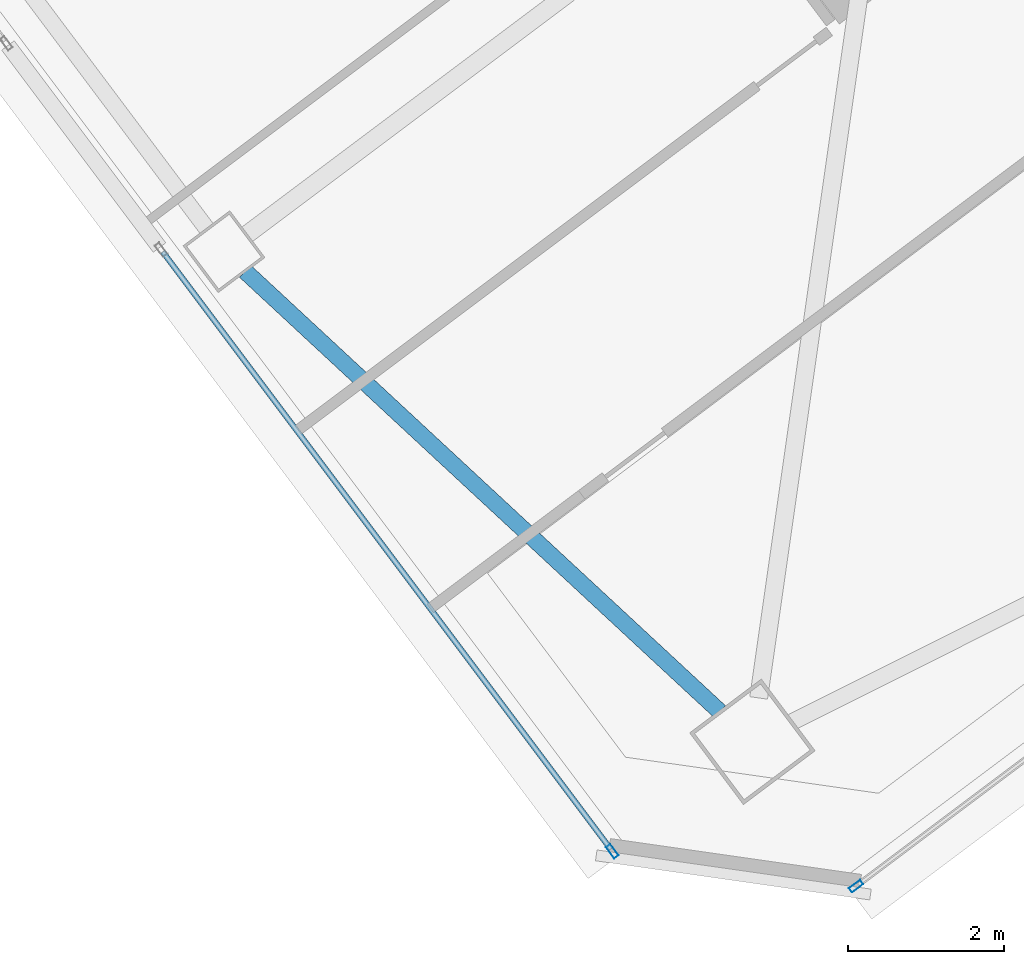
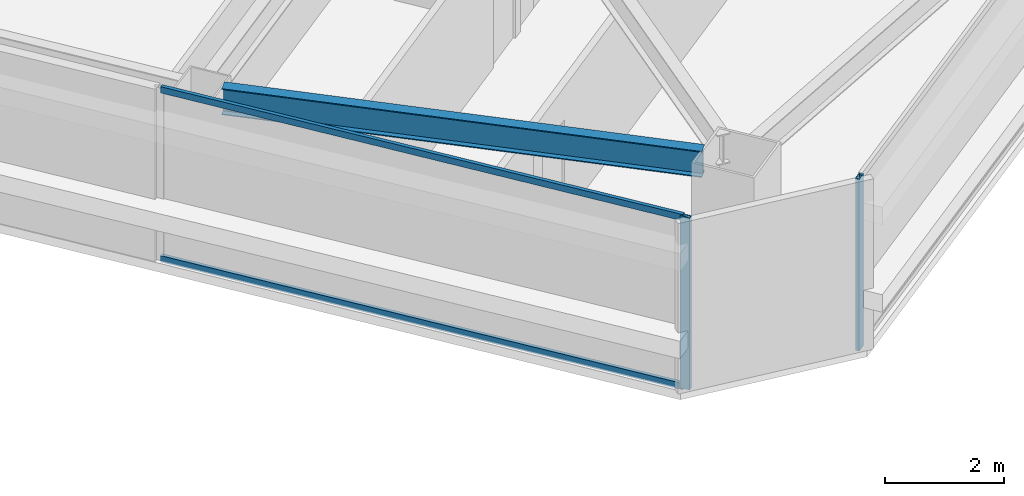
# One storey, part 17 of 43: 4 members, 1 beam, 2 elements without a shape of their own.
"""IFC4 building model written with IfcOpenShell, lengths in metres."""

from ifc_helpers import new_model, si_unit, direction, frame, origin, origin_2d, place, context, subcontext, project, spatial, hollow_rectangle, i_section, extrude, material, material_profile, profile_set, type_object, element, aggregate, save


model = new_model("IFC4")

# Units and contexts
model_context = context("Model", 3, precision=1e-05, world=origin(), true_north=direction((0.0, 1.0)))
body_context = subcontext(model_context, "Body", "Model", "MODEL_VIEW")
ifc_project = project(units=[si_unit("LENGTHUNIT", "METRE"), si_unit("AREAUNIT", "SQUARE_METRE"), si_unit("VOLUMEUNIT", "CUBIC_METRE"), si_unit("PLANEANGLEUNIT", "RADIAN"), si_unit("MASSUNIT", "GRAM", prefix="KILO")], contexts=[model_context])

# Site, building, storey
site_placement = place(None, origin())
site = spatial("IfcSite", under=ifc_project, at=site_placement, CompositionType="ELEMENT")
building_placement = place(site_placement, origin())
building = spatial("IfcBuilding", under=site, at=building_placement, Name="Tashvorn Skyway Center", CompositionType="ELEMENT")
storey_placement = place(building_placement, frame((0.0, 0.0, 188.949951171875)))
storey = spatial("IfcBuildingStorey", under=building, at=storey_placement, Name="L51", CompositionType="ELEMENT", Elevation=188.949951171875)

# Beam
ifc_material_1 = material(Name="Steel ASTM A992 Grade 50", Category="steel")
ifc_material_profile_1 = material_profile(ifc_material_1, i_section(OverallWidth=0.2109375, OverallDepth=0.5390625, WebThickness=0.01171875, FlangeThickness=0.018798828125, at=origin_2d()), Name="W21X73")
ifc_profile_set_1 = profile_set([ifc_material_profile_1], Name="Steel ASTM A992 Grade 50")
beam_type = type_object("IfcBeamType", Name="BM-SPANDREL-W21X73", PredefinedType="SPANDREL", material=ifc_profile_set_1)
beam_placement = place(storey_placement, frame((104.59130859375, 17.73828125, 3.1005859375), z_axis=(0.733101115618, -0.680119661736, 0.0), x_axis=(0.680119661736, 0.733101115618, 0.0)))
element("IfcBeam", 1, at=beam_placement, inside=storey, type_object=beam_type, Name="Tower 2 L51 Spandrel Beam 12", PredefinedType="SPANDREL", context=body_context, shape_type="SweptSolid", body=[
    extrude(i_section(OverallWidth=0.2109375, OverallDepth=0.5390625, WebThickness=0.01171875, FlangeThickness=0.018798828125, at=origin_2d()), origin(), (0.0, 0.0, 1.0), 8.308349609375),
])

# Curtain wall, member
ifc_material_2 = material(Name="Thermally broken bronze-anodized aluminium 6063-T6", Category="aluminium")
curtain_wall_type = type_object("IfcCurtainWallType", Name="CW-CW-Z4", PredefinedType="NOTDEFINED", material=ifc_material_2)
curtain_wall_1_placement = place(storey_placement, origin())
curtain_wall_1 = element("IfcCurtainWall", 2, at=curtain_wall_1_placement, inside=storey, type_object=curtain_wall_type, Name="Tower 2 L51 South Unitised Curtain Wall Glazing Group 3", PredefinedType="NOTDEFINED")
ifc_material_profile_2 = material_profile(ifc_material_2, hollow_rectangle(XDim=0.070068359375, YDim=0.179931640625, WallThickness=0.00390625, at=origin_2d()), Name="ALU-MULL-70x180")
ifc_profile_set_2 = profile_set([ifc_material_profile_2], Name="Thermally broken bronze-anodized aluminium 6063-T6")
member_type_1 = type_object("IfcMemberType", Name="CWM-CW-Z4", PredefinedType="MULLION", material=ifc_profile_set_2)
member_1_placement = place(storey_placement, frame((112.431884765625, 9.84912109375, 0.0), z_axis=(0.0, 0.0, 1.0), x_axis=(0.600000000002, -0.799999999998, 0.0)))
member_1 = element("IfcMember", 3, at=member_1_placement, type_object=member_type_1, Name="CW-Z4 mullion 2", PredefinedType="MULLION", context=body_context, shape_type="SweptSolid", body=[
    extrude(hollow_rectangle(XDim=0.070068359375, YDim=0.179931640625, WallThickness=0.00390625, at=origin_2d()), origin(), (0.0, 0.0, 1.0), 3.550048828125),
])
aggregate(curtain_wall_1, [member_1])

# Curtain wall, members
curtain_wall_2_placement = place(storey_placement, origin())
curtain_wall_2 = element("IfcCurtainWall", 4, at=curtain_wall_2_placement, inside=storey, type_object=curtain_wall_type, Name="Tower 2 L51 West Unitised Curtain Wall Glazing Group 1", PredefinedType="NOTDEFINED")
member_2_placement = place(storey_placement, frame((109.302978515625, 10.2958984375, 0.0), z_axis=(0.0, 0.0, 1.0), x_axis=(-0.799999999998, -0.600000000002, 0.0)))
member_2 = element("IfcMember", 5, at=member_2_placement, type_object=member_type_1, Name="CW-Z4 mullion 1", PredefinedType="MULLION", context=body_context, shape_type="SweptSolid", body=[
    extrude(hollow_rectangle(XDim=0.070068359375, YDim=0.179931640625, WallThickness=0.00390625, at=origin_2d()), origin(), (0.0, 0.0, 1.0), 3.550048828125),
])
ifc_material_profile_3 = material_profile(ifc_material_2, hollow_rectangle(XDim=0.070068359375, YDim=0.1298828125, WallThickness=0.00390625, at=origin_2d()), Name="ALU-TRAN-70x130")
ifc_profile_set_3 = profile_set([ifc_material_profile_3], Name="Thermally broken bronze-anodized aluminium 6063-T6")
member_type_2 = type_object("IfcMemberType", Name="CWT-CW-Z4", PredefinedType="USERDEFINED", material=ifc_profile_set_3)
member_3_placement = place(storey_placement, frame((109.281982421875, 10.323974609375, 0.03515625), z_axis=(-0.6, 0.8, 0.0), x_axis=(-0.8, -0.6, 0.0)))
member_3 = element("IfcMember", 6, at=member_3_placement, type_object=member_type_2, Name="CW-Z4 transom 1.1", ObjectType="TRANSOM", PredefinedType="USERDEFINED", context=body_context, shape_type="SweptSolid", body=[
    extrude(hollow_rectangle(XDim=0.070068359375, YDim=0.1298828125, WallThickness=0.00390625, at=origin_2d()), origin(), (0.0, 0.0, 1.0), 9.580078125),
])
member_4_placement = place(storey_placement, frame((109.281982421875, 10.323974609375, 3.51513671875), z_axis=(-0.6, 0.8, 0.0), x_axis=(-0.8, -0.6, 0.0)))
member_4 = element("IfcMember", 7, at=member_4_placement, type_object=member_type_2, Name="CW-Z4 transom 1.2", ObjectType="TRANSOM", PredefinedType="USERDEFINED", context=body_context, shape_type="SweptSolid", body=[
    extrude(hollow_rectangle(XDim=0.070068359375, YDim=0.1298828125, WallThickness=0.00390625, at=origin_2d()), origin(), (0.0, 0.0, 1.0), 9.580078125),
])
aggregate(curtain_wall_2, [member_2, member_3, member_4])

save(model, "model.ifc")
